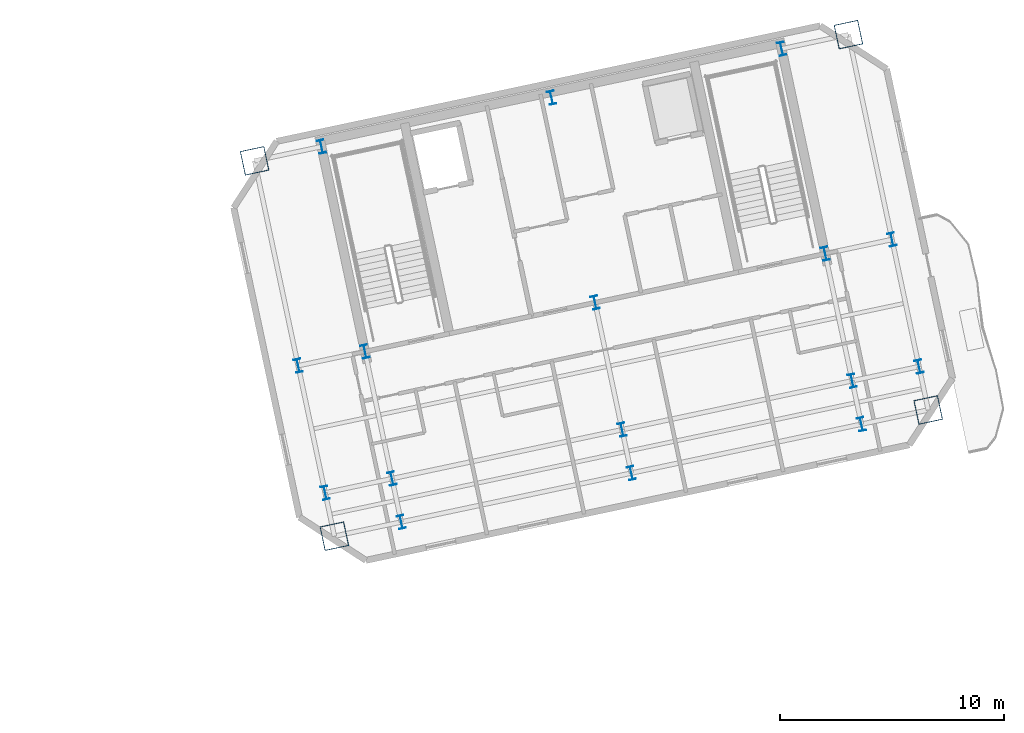
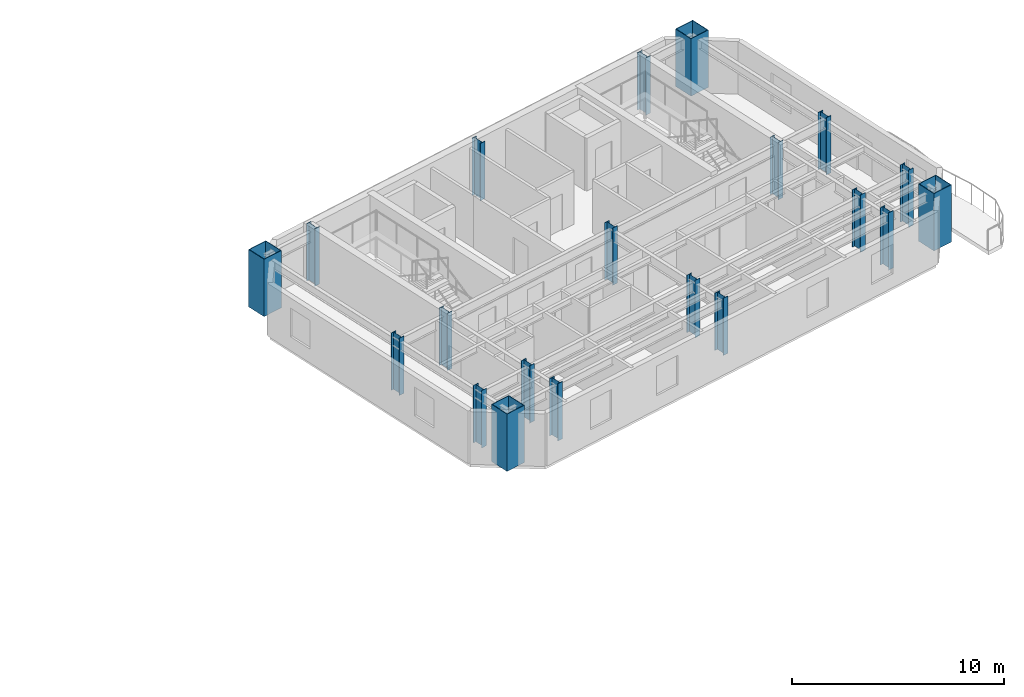
# One storey, part 2 of 14: 20 columns.
"""IFC4 building model written with IfcOpenShell, lengths in metres."""

from ifc_helpers import new_model, si_unit, direction, frame, origin, origin_2d, place, context, subcontext, project, spatial, hollow_rectangle, i_section, extrude, material, material_profile, profile_set, type_object, element, save


model = new_model("IFC4")

# Units and contexts
model_context = context("Model", 3, precision=1e-05, world=origin(), true_north=direction((0.0, 1.0)))
body_context = subcontext(model_context, "Body", "Model", "MODEL_VIEW")
ifc_project = project(units=[si_unit("LENGTHUNIT", "METRE"), si_unit("AREAUNIT", "SQUARE_METRE"), si_unit("VOLUMEUNIT", "CUBIC_METRE"), si_unit("PLANEANGLEUNIT", "RADIAN"), si_unit("MASSUNIT", "GRAM", prefix="KILO")], contexts=[model_context])

# Site, building, storey
site_placement = place(None, origin())
site = spatial("IfcSite", under=ifc_project, at=site_placement, CompositionType="ELEMENT")
building_placement = place(site_placement, origin())
building = spatial("IfcBuilding", under=site, at=building_placement, Name="Haevon Station Towers", CompositionType="ELEMENT")
storey_placement = place(building_placement, frame((0.0, 0.0, 205.5)))
storey = spatial("IfcBuildingStorey", under=building, at=storey_placement, Name="L56", CompositionType="ELEMENT", Elevation=205.5)

# Columns
ifc_material_1 = material(Name="Steel S460", Category="steel")
ifc_material_profile_1 = material_profile(ifc_material_1, hollow_rectangle(XDim=1.10009765625, YDim=1.10009765625, WallThickness=0.031982421875, at=origin_2d()), Name="BOX-1100x1100x32")
ifc_profile_set_1 = profile_set([ifc_material_profile_1], Name="Steel S460")
column_type_1 = type_object("IfcColumnType", Name="COL-MC5", PredefinedType="COLUMN", material=ifc_profile_set_1)
for number, where, z_axis, x_axis, name in (
    (1, (97.386474609375, 29.1982421875, 0.0), (0.0, 0.0, 1.0), (0.978147600734, 0.207911690818, 0.0), "COL-T2-L56-01-01"),
    (2, (93.824951171875, 45.953857421875, 0.0), (0.0, 0.0, 1.0), (0.978147600734, 0.207911690818, 0.0), "COL-T2-L56-01-04"),
    (3, (123.894287109375, 34.832763671875, 0.0), (0.0, 0.0, 1.0), (0.978147600734, 0.207911690818, 0.0), "COL-T2-L56-05-01"),
    (4, (120.332763671875, 51.58837890625, 0.0), (0.0, 0.0, 1.0), (0.978147600734, 0.207911690818, 0.0), "COL-T2-L56-05-04"),
):
    element("IfcColumn", number, at=place(storey_placement, frame(where, z_axis=z_axis, x_axis=x_axis)), inside=storey, type_object=column_type_1, Name=name, PredefinedType="COLUMN", context=body_context, shape_type="SweptSolid", body=[
        extrude(hollow_rectangle(XDim=1.10009765625, YDim=1.10009765625, WallThickness=0.031982421875, at=origin_2d()), origin(), (0.0, 0.0, 1.0), 3.300048828125),
    ])
ifc_material_2 = material(Name="Steel S355", Category="steel")
ifc_material_profile_2 = material_profile(ifc_material_2, i_section(OverallWidth=0.300048828125, OverallDepth=0.60009765625, WebThickness=0.013916015625, FlangeThickness=0.02490234375, at=origin_2d()), Name="H-600x300x14x25")
ifc_profile_set_2 = profile_set([ifc_material_profile_2], Name="Steel S355")
column_type_2 = type_object("IfcColumnType", Name="COL-TW4", PredefinedType="COLUMN", material=ifc_profile_set_2)
for number, where, z_axis, x_axis, name in (
    (5, (96.974853515625, 31.135009765625, 0.0), (0.0, 0.0, 1.0), (0.978147600734, 0.207911690818, 0.0), "COL-T2-L56-01-02"),
    (6, (95.76904296875, 36.808349609375, 0.0), (0.0, 0.0, 1.0), (0.978147600734, 0.207911690818, 0.0), "COL-T2-L56-01-03"),
    (7, (100.369873046875, 29.83251953125, 0.0), (0.0, 0.0, 1.0), (0.978147600734, 0.207911690818, 0.0), "COL-T2-L56-02-01"),
    (8, (99.958251953125, 31.76904296875, 0.0), (0.0, 0.0, 1.0), (0.978147600734, 0.207911690818, 0.0), "COL-T2-L56-02-02"),
    (9, (98.75244140625, 37.4423828125, 0.0), (0.0, 0.0, 1.0), (0.978147600734, 0.207911690818, 0.0), "COL-T2-L56-02-03"),
    (10, (96.808349609375, 46.588134765625, 0.0), (0.0, 0.0, 1.0), (0.978147600734, 0.207911690818, 0.0), "COL-T2-L56-02-04"),
    (11, (110.640380859375, 32.015380859375, 0.0), (0.0, 0.0, 1.0), (0.978147600734, 0.207911690818, 0.0), "COL-T2-L56-03-01"),
    (12, (110.228759765625, 33.9521484375, 0.0), (0.0, 0.0, 1.0), (0.978147600734, 0.207911690818, 0.0), "COL-T2-L56-03-02"),
    (13, (109.02294921875, 39.62548828125, 0.0), (0.0, 0.0, 1.0), (0.978147600734, 0.207911690818, 0.0), "COL-T2-L56-03-03"),
    (14, (107.078857421875, 48.771240234375, 0.0), (0.0, 0.0, 1.0), (0.978147600734, 0.207911690818, 0.0), "COL-T2-L56-03-04"),
    (15, (120.910888671875, 34.198486328125, 0.0), (0.0, 0.0, 1.0), (0.978147600734, 0.207911690818, 0.0), "COL-T2-L56-04-01"),
    (16, (120.499267578125, 36.13525390625, 0.0), (0.0, 0.0, 1.0), (0.978147600734, 0.207911690818, 0.0), "COL-T2-L56-04-02"),
    (17, (119.29345703125, 41.80859375, 0.0), (0.0, 0.0, 1.0), (0.978147600734, 0.207911690818, 0.0), "COL-T2-L56-04-03"),
    (18, (117.349365234375, 50.954345703125, 0.0), (0.0, 0.0, 1.0), (0.978147600734, 0.207911690818, 0.0), "COL-T2-L56-04-04"),
    (19, (123.482666015625, 36.76953125, 0.0), (0.0, 0.0, 1.0), (0.978147600734, 0.207911690818, 0.0), "COL-T2-L56-05-02"),
    (20, (122.27685546875, 42.442626953125, 0.0), (0.0, 0.0, 1.0), (0.978147600734, 0.207911690818, 0.0), "COL-T2-L56-05-03"),
):
    element("IfcColumn", number, at=place(storey_placement, frame(where, z_axis=z_axis, x_axis=x_axis)), inside=storey, type_object=column_type_2, Name=name, PredefinedType="COLUMN", context=body_context, shape_type="SweptSolid", body=[
        extrude(i_section(OverallWidth=0.300048828125, OverallDepth=0.60009765625, WebThickness=0.013916015625, FlangeThickness=0.02490234375, at=origin_2d()), origin(), (0.0, 0.0, 1.0), 3.300048828125),
    ])

save(model, "model.ifc")
